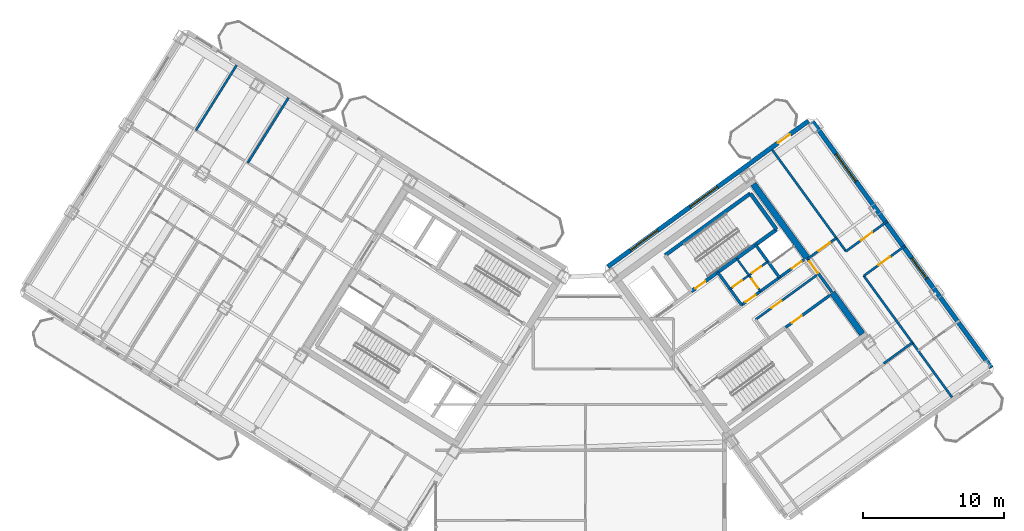
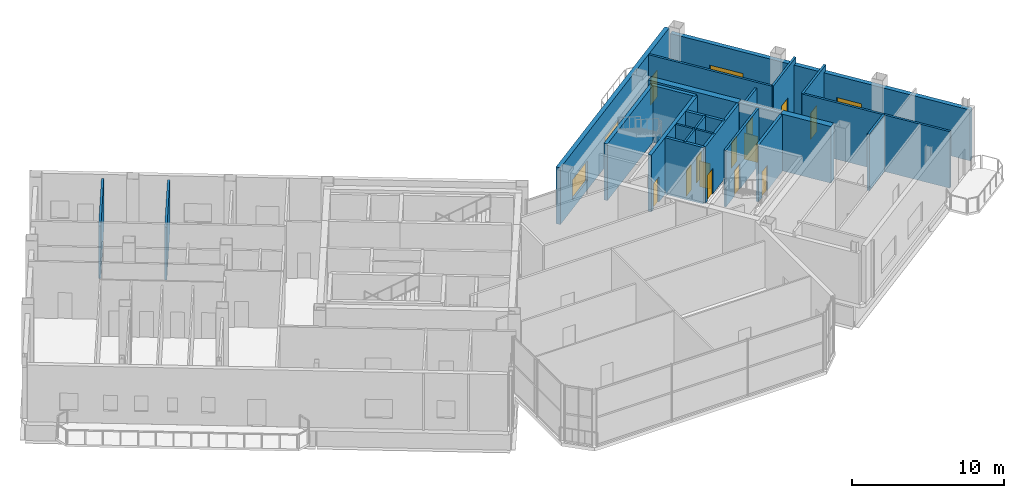
# One storey, part 20 of 26: 24 walls, 13 doors, 4 windows, 17 openings.
"""IFC4 building model written with IfcOpenShell, lengths in metres."""

import ifcopenshell
import ifcopenshell.guid

model = None  # the IFC model being written
_history = None  # IfcOwnerHistory: only IFC2X3 demands one
_inside = {}  # id of a spatial element -> (the spatial element, [elements in it])
_under = {}  # id of a project, library or spatial element -> (it, [spatial elements below it])
_declared = {}  # id of a project -> (the project, [libraries it declares])
_typed = {}  # id of a type object -> (the type object, [elements of that type])
_made_of = {}  # id of a material, layer set ... -> (it, [elements and type objects made of it])


def new_model(schema):
    """Start an empty IFC model of exactly this schema.

    Asked for "IFC4X3", IfcOpenShell would pick the latest addendum, in which some entities
    have other attributes; the version numbers below select the first issue.
    IFC2X3 requires an IfcOwnerHistory on every rooted entity: one is made here for all.
    """
    global model, _history
    if schema == "IFC4X3":
        model = ifcopenshell.file(schema_version=(4, 3, 0, 0))
    else:
        model = ifcopenshell.file(schema=schema)
    _inside.clear()
    _under.clear()
    _declared.clear()
    _typed.clear()
    _made_of.clear()
    _history = None
    if model.schema == "IFC2X3":
        org = make("IfcOrganization", Name="unknown")
        user = make(
            "IfcPersonAndOrganization",
            ThePerson=make("IfcPerson", FamilyName="unknown"),
            TheOrganization=org,
        )
        app = make(
            "IfcApplication",
            ApplicationDeveloper=org,
            Version="unknown",
            ApplicationFullName="unknown",
            ApplicationIdentifier="unknown",
        )
        _history = make(
            "IfcOwnerHistory",
            OwningUser=user,
            OwningApplication=app,
            ChangeAction="ADDED",
            CreationDate=0,
        )
    return model


def make(cls, **values):
    """One entity of the class cls with the attributes given. An attribute that is None is left unset."""
    return model.create_entity(
        cls, **{name: value for name, value in values.items() if value is not None}
    )


def rooted(cls, **values):
    """An entity with a GlobalId (a new one), such as an element, a storey or a relation."""
    return make(cls, GlobalId=ifcopenshell.guid.new(), OwnerHistory=_history, **values)


def si_unit(unit_type, name, prefix=None):
    """IfcSIUnit, for example si_unit("LENGTHUNIT", "METRE", prefix="MILLI")."""
    return make("IfcSIUnit", UnitType=unit_type, Prefix=prefix, Name=name)


def assignment(units):
    """IfcUnitAssignment: the units of a project."""
    return None if units is None else make("IfcUnitAssignment", Units=units)


def point(xyz):
    """IfcCartesianPoint."""
    return None if xyz is None else make("IfcCartesianPoint", Coordinates=xyz)


def direction(xyz):
    """IfcDirection."""
    return None if xyz is None else make("IfcDirection", DirectionRatios=xyz)


def frame(location, z_axis=None, x_axis=None):
    """IfcAxis2Placement3D, a coordinate frame: its origin and axes. An axis left out is left unset."""
    return make(
        "IfcAxis2Placement3D",
        Location=point(location),
        Axis=direction(z_axis),
        RefDirection=direction(x_axis),
    )


def frame_2d(location, x_axis=None):
    """IfcAxis2Placement2D, a coordinate frame in the plane: its origin and x axis."""
    return make(
        "IfcAxis2Placement2D", Location=point(location), RefDirection=direction(x_axis)
    )


def origin():
    """The frame at (0, 0, 0) with its axes left unset."""
    return frame((0.0, 0.0, 0.0))


def place(relative_to, where):
    """IfcLocalPlacement: puts the frame where relative to a parent placement (None: the world)."""
    return make(
        "IfcLocalPlacement", PlacementRelTo=relative_to, RelativePlacement=where
    )


def context(
    kind, dimensions, precision=None, world=None, true_north=None, identifier=None
):
    """IfcGeometricRepresentationContext, for example the 3D "Model" context."""
    return make(
        "IfcGeometricRepresentationContext",
        ContextIdentifier=identifier,
        ContextType=kind,
        CoordinateSpaceDimension=dimensions,
        Precision=precision,
        WorldCoordinateSystem=world,
        TrueNorth=true_north,
    )


def subcontext(parent, identifier, kind, view, scale=None):
    """IfcGeometricRepresentationSubContext, for example "Body" below "Model"."""
    return make(
        "IfcGeometricRepresentationSubContext",
        ContextIdentifier=identifier,
        ContextType=kind,
        ParentContext=parent,
        TargetScale=scale,
        TargetView=view,
    )


def project(units=None, contexts=None):
    """IfcProject with its units and contexts."""
    return rooted(
        "IfcProject",
        Name="project",
        RepresentationContexts=contexts,
        UnitsInContext=assignment(units),
    )


def spatial(cls, under=None, at=None, **own):
    """A site, building, storey or space (cls), placed at a placement, below another one or the project."""
    s = rooted(cls, ObjectPlacement=at, **own)
    if under is not None:
        _under.setdefault(under.id(), (under, []))[1].append(s)
    return s


def profile(cls, at=None, kind="AREA", **sizes):
    """A parametric profile (cls). Its sizes go by their IFC names, for example OverallWidth=200.0."""
    return make(cls, ProfileType=kind, Position=at, **sizes)


def rectangle(**sizes):
    """IfcRectangleProfileDef."""
    return profile("IfcRectangleProfileDef", **sizes)


def extrude(swept, where, along, depth):
    """IfcExtrudedAreaSolid: the profile swept, set in the frame where, extruded along a direction by depth."""
    return make(
        "IfcExtrudedAreaSolid",
        SweptArea=swept,
        Position=where,
        ExtrudedDirection=direction(along),
        Depth=depth,
    )


def shape(context_of_items, identifier, shape_type, items):
    """IfcShapeRepresentation: the items that make up one representation, for example the "Body"."""
    return make(
        "IfcShapeRepresentation",
        ContextOfItems=context_of_items,
        RepresentationIdentifier=identifier,
        RepresentationType=shape_type,
        Items=items,
    )


def source(mapping_origin, context_of_items, identifier, shape_type, items):
    """IfcRepresentationMap: a shape defined once, which mapped items show again and again."""
    return make(
        "IfcRepresentationMap",
        MappingOrigin=mapping_origin,
        MappedRepresentation=shape(context_of_items, identifier, shape_type, items),
    )


def transform(
    local_origin,
    x_axis=None,
    y_axis=None,
    z_axis=None,
    scale=None,
    scale2=None,
    scale3=None,
    uniform=True,
):
    """IfcCartesianTransformationOperator3D, or its non-uniform kind. x_axis, y_axis, z_axis: its Axis1, 2, 3."""
    if uniform:
        return make(
            "IfcCartesianTransformationOperator3D",
            Axis1=direction(x_axis),
            Axis2=direction(y_axis),
            LocalOrigin=point(local_origin),
            Scale=scale,
            Axis3=direction(z_axis),
        )
    return make(
        "IfcCartesianTransformationOperator3DnonUniform",
        Axis1=direction(x_axis),
        Axis2=direction(y_axis),
        LocalOrigin=point(local_origin),
        Scale=scale,
        Axis3=direction(z_axis),
        Scale2=scale2,
        Scale3=scale3,
    )


def mapped(mapping_source, mapping_target):
    """IfcMappedItem: shows the shape of a source again, moved by a transform."""
    return make(
        "IfcMappedItem", MappingSource=mapping_source, MappingTarget=mapping_target
    )


def material(Name=None, Category=None):
    """IfcMaterial."""
    return make("IfcMaterial", Name=Name, Category=Category)


def layer(
    of_material, thickness, ventilated=None, Name=None, Category=None, Priority=None
):
    """IfcMaterialLayer: one layer of a wall or slab, of a material (None: an air gap)."""
    return make(
        "IfcMaterialLayer",
        Material=of_material,
        LayerThickness=thickness,
        IsVentilated=ventilated,
        Name=Name,
        Category=Category,
        Priority=Priority,
    )


def layer_set(layers, Name=None):
    """IfcMaterialLayerSet."""
    return make("IfcMaterialLayerSet", MaterialLayers=layers, LayerSetName=Name)


def made_of(thing, what):
    """Note that an element or type object is made of a material, layer set ...; save() writes the relation."""
    if what is not None:
        _made_of.setdefault(what.id(), (what, []))[1].append(thing)
    return thing


def type_object(cls, material=None, **own):
    """A type object (cls), such as IfcWallType, which elements share."""
    return made_of(rooted(cls, **own), material)


def element(
    cls,
    number,
    at=None,
    inside=None,
    cuts=None,
    type_object=None,
    material=None,
    context=None,
    identifier="Body",
    shape_type=None,
    held_by="IfcProductDefinitionShape",
    body=None,
    shapes=None,
    **own,
):
    """One element of the class cls, such as IfcWall. Its Tag is "e" and its number.

    at: its placement. inside: the storey or other place that contains it. cuts: it is an
    opening in that element (IfcRelVoidsElement). A single representation is given by context,
    identifier, shape_type and body (its items); several are given by shapes. held_by: the class
    of the entity that holds the representations. save() writes the other relations.
    """
    e = rooted(cls, Tag="e%d" % number, ObjectPlacement=at, **own)
    if body is not None:
        shapes = [shape(context, identifier, shape_type, body)]
    if shapes is not None:
        e.Representation = make(held_by, Representations=shapes)
    if inside is not None:
        _inside.setdefault(inside.id(), (inside, []))[1].append(e)
    if cuts is not None:
        rooted(
            "IfcRelVoidsElement", RelatingBuildingElement=cuts, RelatedOpeningElement=e
        )
    if type_object is not None:
        _typed.setdefault(type_object.id(), (type_object, []))[1].append(e)
    return made_of(e, material)


def fill(opening, filler):
    """IfcRelFillsElement: the door or window that sits in an opening."""
    return rooted(
        "IfcRelFillsElement",
        RelatingOpeningElement=opening,
        RelatedBuildingElement=filler,
    )


def aggregate(whole, parts):
    """IfcRelAggregates: a whole, such as a stair, and the parts it consists of."""
    return rooted("IfcRelAggregates", RelatingObject=whole, RelatedObjects=parts)


def save(model, path):
    """Write the relations noted so far, then the file.

    IfcRelAggregates (storeys below a building ...), IfcRelContainedInSpatialStructure (elements
    in a storey), IfcRelDefinesByType, IfcRelAssociatesMaterial and IfcRelDeclares: one each for
    every whole, place, type object, material and project.
    """
    for whole, parts in _under.values():
        aggregate(whole, parts)
    for where, things in _inside.values():
        rooted(
            "IfcRelContainedInSpatialStructure",
            RelatedElements=things,
            RelatingStructure=where,
        )
    for kind, things in _typed.values():
        rooted("IfcRelDefinesByType", RelatedObjects=things, RelatingType=kind)
    for what, things in _made_of.values():
        rooted("IfcRelAssociatesMaterial", RelatedObjects=things, RelatingMaterial=what)
    for by, libraries in _declared.values():
        rooted("IfcRelDeclares", RelatingContext=by, RelatedDefinitions=libraries)
    model.write(path)


model = new_model("IFC4")

# Units and contexts
model_context = context("Model", 3, precision=1e-05, world=origin(), true_north=direction((0.0, 1.0)))
body_context = subcontext(model_context, "Body", "Model", "MODEL_VIEW")
ifc_project = project(units=[si_unit("LENGTHUNIT", "METRE"), si_unit("AREAUNIT", "SQUARE_METRE"), si_unit("VOLUMEUNIT", "CUBIC_METRE"), si_unit("PLANEANGLEUNIT", "RADIAN"), si_unit("MASSUNIT", "GRAM", prefix="KILO")], contexts=[model_context])

# Site, building, storey
site_placement = place(None, origin())
site = spatial("IfcSite", under=ifc_project, at=site_placement, CompositionType="ELEMENT")
building_placement = place(site_placement, origin())
building = spatial("IfcBuilding", under=site, at=building_placement, Name="Tlacorven Tower", CompositionType="ELEMENT")
storey_placement = place(building_placement, frame((0.0, 0.0, 233.699951171875)))
storey = spatial("IfcBuildingStorey", under=building, at=storey_placement, Name="L59", CompositionType="ELEMENT", Elevation=233.699951171875)

# Walls
ifc_material_1 = material(Name="Concrete C50/60", Category="concrete")
ifc_layer_1 = layer(ifc_material_1, 0.449951171875)
ifc_layer_set_1 = layer_set([ifc_layer_1], Name="Concrete C50/60")
wall_type_1 = type_object("IfcWallType", Name="WL-COR-450", PredefinedType="SHEAR", material=ifc_layer_set_1)
wall_1_placement = place(storey_placement, frame((61.987548828125, 20.413330078125, 0.0), z_axis=(0.0, 0.0, 1.0), x_axis=(-0.587819244441, 0.808992296542, 0.0)))
element("IfcWall", 1, at=wall_1_placement, inside=storey, type_object=wall_type_1, Name="L59 E core end wall E2.1", PredefinedType="SHEAR", context=body_context, shape_type="SweptSolid", body=[
    extrude(rectangle(XDim=3.625, YDim=0.449951171875, at=frame_2d((1.8125, 0.0))), origin(), (0.0, 0.0, 1.0), 4.550048828125),
])
wall_2_placement = place(storey_placement, frame((58.06396484375, 25.8134765625, 0.0), z_axis=(0.0, 0.0, 1.0), x_axis=(-0.587774812919, 0.809024578921, 0.0)))
element("IfcWall", 2, at=wall_2_placement, inside=storey, type_object=wall_type_1, Name="L59 E core end wall E2.2", PredefinedType="SHEAR", context=body_context, shape_type="SweptSolid", body=[
    extrude(rectangle(XDim=6.47509765625, YDim=0.449951171875, at=frame_2d((3.237548828125, 0.0))), origin(), (0.0, 0.0, 1.0), 4.550048828125),
])

# Wall, opening, door
ifc_material_2 = material(Name="Gypsum plasterboard acoustic partition", Category="gypsum")
ifc_layer_2 = layer(ifc_material_2, 0.159912109375)
ifc_layer_set_2 = layer_set([ifc_layer_2], Name="Gypsum plasterboard acoustic partition")
wall_type_2 = type_object("IfcWallType", Name="WL-DEM-160", PredefinedType="PARTITIONING", material=ifc_layer_set_2)
wall_3_placement = place(storey_placement, frame((54.421142578125, 21.436279296875, 0.0), z_axis=(0.0, 0.0, 1.0), x_axis=(0.809013710463, 0.587789772183, 0.0)))
wall_3 = element("IfcWall", 3, at=wall_3_placement, inside=storey, type_object=wall_type_2, Name="L59 partition 29", PredefinedType="PARTITIONING", context=body_context, shape_type="SweptSolid", body=[
    extrude(rectangle(XDim=5.360107421875, YDim=0.159912109375, at=frame_2d((2.68017578125, 0.0))), origin(), (0.0, 0.0, 1.0), 4.5400390625),
])
opening_1_placement = place(wall_3_placement, frame((1.39990234375, 0.0, 0.0)))
opening_1 = element("IfcOpeningElement", 4, at=opening_1_placement, cuts=wall_3, Name="Opening D19", PredefinedType="OPENING", context=body_context, shape_type="SweptSolid", body=[
    extrude(rectangle(XDim=0.860107421875, YDim=2.050048828125, at=frame_2d((0.43017578125, 1.02490234375))), frame((0.0, 0.08984375, 0.0), z_axis=(0.0, -1.0, 0.0), x_axis=(1.0, 0.0, 0.0)), (0.0, 0.0, 1.0), 0.179931640625),
])
ifc_material_3 = material(Name="Fire-rated steel door assembly", Category="steel")
door_type_1 = type_object("IfcDoorType", Name="DR-RSR-FD60-0860", OperationType="NOTDEFINED", PredefinedType="DOOR", material=ifc_material_3)
shared_shape_1 = source(origin(), body_context, "Body", "SweptSolid", [
    extrude(rectangle(XDim=0.860107421875, YDim=2.050048828125, at=frame_2d((0.43017578125, 1.02490234375))), frame((0.0, 0.02490234375, 0.0), z_axis=(0.0, -1.0, 0.0), x_axis=(1.0, 0.0, 0.0)), (0.0, 0.0, 1.0), 0.050048828125),
])
door_1_placement = place(opening_1_placement, origin())
door_1 = element("IfcDoor", 5, at=door_1_placement, inside=storey, type_object=door_type_1, Name="L59 Freed Core Store Door", OperationType="SINGLE_SWING_RIGHT", OverallHeight=2.050048828125, OverallWidth=0.860107421875, PredefinedType="DOOR", context=body_context, shape_type="MappedRepresentation", body=[
    mapped(shared_shape_1, transform((0.0, 0.0, 0.0), scale=1.0)),
])
fill(opening_1, door_1)

# Walls
for number, where, z_axis, x_axis, name in (
    (6, (21.29248046875, 37.177978515625, 0.0), (0.0, 0.0, 1.0), (-0.529938539346, -0.848036051425, 0.0), "L59 partition 59"),
    (7, (17.6083984375, 39.47998046875, 0.0), (0.0, 0.0, 1.0), (-0.529906322364, -0.848056182997, 0.0), "L59 partition 60"),
):
    element("IfcWall", number, at=place(storey_placement, frame(where, z_axis=z_axis, x_axis=x_axis)), inside=storey, type_object=wall_type_2, Name=name, PredefinedType="PARTITIONING", context=body_context, shape_type="SweptSolid", body=[
        extrude(rectangle(XDim=5.449951171875, YDim=0.159912109375, at=frame_2d((2.72509765625, 0.0))), origin(), (0.0, 0.0, 1.0), 4.22509765625),
    ])
wall_4_placement = place(storey_placement, frame((63.5068359375, 18.322021484375, 0.0), z_axis=(0.0, 0.0, 1.0), x_axis=(0.809034604122, 0.587761013791, 0.0)))
element("IfcWall", 8, at=wall_4_placement, inside=storey, type_object=wall_type_2, Name="L59 partition 79", PredefinedType="PARTITIONING", context=body_context, shape_type="SweptSolid", body=[
    extrude(rectangle(XDim=2.510009765625, YDim=0.159912109375, at=frame_2d((1.2548828125, 0.0))), origin(), (0.0, 0.0, 1.0), 4.5400390625),
])

# Wall, opening, door
wall_5_placement = place(storey_placement, frame((58.111083984375, 25.748779296875, 0.0), z_axis=(0.0, 0.0, 1.0), x_axis=(0.809000999347, 0.58780726693, 0.0)))
wall_5 = element("IfcWall", 9, at=wall_5_placement, inside=storey, type_object=wall_type_2, Name="L59 partition 80", PredefinedType="PARTITIONING", context=body_context, shape_type="SweptSolid", body=[
    extrude(rectangle(XDim=2.510009765625, YDim=0.159912109375, at=frame_2d((1.2548828125, 0.0))), origin(), (0.0, 0.0, 1.0), 4.074951171875),
])
opening_2_placement = place(wall_5_placement, frame((0.949951171875, 0.0, 0.0)))
opening_2 = element("IfcOpeningElement", 10, at=opening_2_placement, cuts=wall_5, Name="Opening D11", PredefinedType="OPENING", context=body_context, shape_type="SweptSolid", body=[
    extrude(rectangle(XDim=1.0, YDim=2.10009765625, at=frame_2d((0.5, 1.050048828125))), frame((0.0, 0.08984375, 0.0), z_axis=(0.0, -1.0, 0.0), x_axis=(1.0, 0.0, 0.0)), (0.0, 0.0, 1.0), 0.179931640625),
])
door_type_2 = type_object("IfcDoorType", Name="DR-FLT-FD60-1000", OperationType="NOTDEFINED", PredefinedType="DOOR", material=ifc_material_3)
shared_shape_2 = source(origin(), body_context, "Body", "SweptSolid", [
    extrude(rectangle(XDim=1.0, YDim=2.10009765625, at=frame_2d((0.5, 1.050048828125))), frame((0.0, 0.02490234375, 0.0), z_axis=(0.0, -1.0, 0.0), x_axis=(1.0, 0.0, 0.0)), (0.0, 0.0, 1.0), 0.050048828125),
])
door_2_placement = place(opening_2_placement, origin())
door_2 = element("IfcDoor", 11, at=door_2_placement, inside=storey, type_object=door_type_2, Name="L59 door 053", OperationType="SINGLE_SWING_RIGHT", OverallHeight=2.10009765625, OverallWidth=1.0, PredefinedType="DOOR", context=body_context, shape_type="MappedRepresentation", body=[
    mapped(shared_shape_2, transform((0.0, 0.0, 0.0), scale=1.0)),
])
fill(opening_2, door_2)

# Walls
wall_6_placement = place(storey_placement, frame((68.35302734375, 15.922119140625, 0.0), z_axis=(0.0, 0.0, 1.0), x_axis=(-0.587783168305, 0.809018508476, 0.0)))
element("IfcWall", 12, at=wall_6_placement, inside=storey, type_object=wall_type_2, Name="L59 partition 81", PredefinedType="PARTITIONING", context=body_context, shape_type="SweptSolid", body=[
    extrude(rectangle(XDim=10.650146484375, YDim=0.159912109375, at=frame_2d((5.3251953125, 0.0))), origin(), (0.0, 0.0, 1.0), 4.5400390625),
])
wall_7_placement = place(storey_placement, frame((60.829345703125, 26.277587890625, 0.0), z_axis=(0.0, 0.0, 1.0), x_axis=(-0.587781800813, 0.80901950201, 0.0)))
element("IfcWall", 13, at=wall_7_placement, inside=storey, type_object=wall_type_2, Name="L59 partition 82", PredefinedType="PARTITIONING", context=body_context, shape_type="SweptSolid", body=[
    extrude(rectangle(XDim=8.89990234375, YDim=0.159912109375, at=frame_2d((4.449951171875, 0.0))), origin(), (0.0, 0.0, 1.0), 4.5400390625),
])

# Wall, opening, door
wall_8_placement = place(storey_placement, frame((62.093017578125, 24.538330078125, 0.0), z_axis=(0.0, 0.0, 1.0), x_axis=(0.809035546126, 0.58775971715, 0.0)))
wall_8 = element("IfcWall", 14, at=wall_8_placement, inside=storey, type_object=wall_type_2, Name="L59 partition 84", PredefinedType="PARTITIONING", context=body_context, shape_type="SweptSolid", body=[
    extrude(rectangle(XDim=3.6298828125, YDim=0.159912109375, at=frame_2d((1.81494140625, 0.0))), origin(), (0.0, 0.0, 1.0), 4.5400390625),
])
opening_3_placement = place(wall_8_placement, frame((1.304931640625, 0.0, 0.0)))
opening_3 = element("IfcOpeningElement", 15, at=opening_3_placement, cuts=wall_8, Name="Opening D11", PredefinedType="OPENING", context=body_context, shape_type="SweptSolid", body=[
    extrude(rectangle(XDim=1.0, YDim=2.10009765625, at=frame_2d((0.5, 1.050048828125))), frame((0.0, 0.08984375, 0.0), z_axis=(0.0, -1.0, 0.0), x_axis=(1.0, 0.0, 0.0)), (0.0, 0.0, 1.0), 0.179931640625),
])
door_3_placement = place(opening_3_placement, origin())
door_3 = element("IfcDoor", 16, at=door_3_placement, inside=storey, type_object=door_type_2, Name="L59 door 056", OperationType="SINGLE_SWING_LEFT", OverallHeight=2.10009765625, OverallWidth=1.0, PredefinedType="DOOR", context=body_context, shape_type="MappedRepresentation", body=[
    mapped(shared_shape_2, transform((0.0, 0.0, 0.0), scale=1.0)),
])
fill(opening_3, door_3)

wall_9_placement = place(storey_placement, frame((60.829345703125, 26.277587890625, 0.0), z_axis=(0.0, 0.0, 1.0), x_axis=(0.809003564202, 0.587803736896, 0.0)))
wall_9 = element("IfcWall", 17, at=wall_9_placement, inside=storey, type_object=wall_type_2, Name="L59 partition 85", PredefinedType="PARTITIONING", context=body_context, shape_type="SweptSolid", body=[
    extrude(rectangle(XDim=3.630126953125, YDim=0.159912109375, at=frame_2d((1.81494140625, 0.0))), origin(), (0.0, 0.0, 1.0), 4.5400390625),
])
opening_4_placement = place(wall_9_placement, frame((1.304931640625, 0.0, 0.0)))
opening_4 = element("IfcOpeningElement", 18, at=opening_4_placement, cuts=wall_9, Name="Opening D11", PredefinedType="OPENING", context=body_context, shape_type="SweptSolid", body=[
    extrude(rectangle(XDim=1.0, YDim=2.10009765625, at=frame_2d((0.5, 1.050048828125))), frame((0.0, 0.08984375, 0.0), z_axis=(0.0, -1.0, 0.0), x_axis=(1.0, 0.0, 0.0)), (0.0, 0.0, 1.0), 0.179931640625),
])
door_4_placement = place(opening_4_placement, origin())
door_4 = element("IfcDoor", 19, at=door_4_placement, inside=storey, type_object=door_type_2, Name="L59 door 055", OperationType="SINGLE_SWING_LEFT", OverallHeight=2.10009765625, OverallWidth=1.0, PredefinedType="DOOR", context=body_context, shape_type="MappedRepresentation", body=[
    mapped(shared_shape_2, transform((0.0, 0.0, 0.0), scale=1.0)),
])
fill(opening_4, door_4)

# Wall, openings, door, windows
ifc_material_4 = material(Name="Precast concrete C45/55", Category="concrete")
ifc_layer_3 = layer(ifc_material_4, 0.320068359375)
ifc_layer_set_3 = layer_set([ifc_layer_3], Name="Precast concrete C45/55")
wall_type_3 = type_object("IfcWallType", Name="WL-EXT-320", PredefinedType="STANDARD", material=ifc_layer_set_3)
wall_10_placement = place(storey_placement, frame((43.93798828125, 25.191650390625, 0.0), z_axis=(0.0, 0.0, 1.0), x_axis=(0.809016324578, 0.587786174187, 0.0)))
wall_10 = element("IfcWall", 20, at=wall_10_placement, inside=storey, type_object=wall_type_3, Name="L59 Masonry-Frame Recessed Facade Wall 4", PredefinedType="STANDARD", context=body_context, shape_type="SweptSolid", body=[
    extrude(rectangle(XDim=17.58740234375, YDim=0.320068359375, at=frame_2d((8.793701171875, 0.0))), origin(), (0.0, 0.0, 1.0), 4.550048828125),
])
opening_5_placement = place(wall_10_placement, frame((14.913818359375, 0.0, 0.0)))
opening_5 = element("IfcOpeningElement", 21, at=opening_5_placement, cuts=wall_10, Name="Opening D06", PredefinedType="OPENING", context=body_context, shape_type="SweptSolid", body=[
    extrude(rectangle(XDim=1.050048828125, YDim=2.14990234375, at=frame_2d((0.52490234375, 1.074951171875))), frame((0.0, 0.169921875, 0.0), z_axis=(0.0, -1.0, 0.0), x_axis=(1.0, 0.0, 0.0)), (0.0, 0.0, 1.0), 0.340087890625),
])
opening_6_placement = place(wall_10_placement, frame((1.96875, 0.0, 0.75)))
opening_6 = element("IfcOpeningElement", 22, at=opening_6_placement, cuts=wall_10, Name="Opening WN06", PredefinedType="OPENING", context=body_context, shape_type="SweptSolid", body=[
    extrude(rectangle(XDim=2.39990234375, YDim=1.60009765625, at=frame_2d((1.199951171875, 0.800048828125))), frame((0.0, 0.169921875, 0.0), z_axis=(0.0, -1.0, 0.0), x_axis=(1.0, 0.0, 0.0)), (0.0, 0.0, 1.0), 0.340087890625),
])
opening_7_placement = place(wall_10_placement, frame((7.21875, 0.0, 0.75)))
opening_7 = element("IfcOpeningElement", 23, at=opening_7_placement, cuts=wall_10, Name="Opening WN06", PredefinedType="OPENING", context=body_context, shape_type="SweptSolid", body=[
    extrude(rectangle(XDim=2.39990234375, YDim=1.60009765625, at=frame_2d((1.199951171875, 0.800048828125))), frame((0.0, 0.169921875, 0.0), z_axis=(0.0, -1.0, 0.0), x_axis=(1.0, 0.0, 0.0)), (0.0, 0.0, 1.0), 0.340087890625),
])
ifc_material_5 = material(Name="Powder-coated aluminium and timber door", Category="wood")
door_type_3 = type_object("IfcDoorType", Name="DR-EXT-BALC-1050", OperationType="NOTDEFINED", PredefinedType="DOOR", material=ifc_material_5)
shared_shape_3 = source(origin(), body_context, "Body", "SweptSolid", [
    extrude(rectangle(XDim=1.050048828125, YDim=2.14990234375, at=frame_2d((0.52490234375, 1.074951171875))), frame((0.0, 0.02490234375, 0.0), z_axis=(0.0, -1.0, 0.0), x_axis=(1.0, 0.0, 0.0)), (0.0, 0.0, 1.0), 0.050048828125),
])
door_5_placement = place(opening_5_placement, origin())
door_5 = element("IfcDoor", 24, at=door_5_placement, inside=storey, type_object=door_type_3, Name="L59 Outdoor Access Door BAL-L59-E-IN", OperationType="SINGLE_SWING_RIGHT", OverallHeight=2.14990234375, OverallWidth=1.050048828125, PredefinedType="DOOR", context=body_context, shape_type="MappedRepresentation", body=[
    mapped(shared_shape_3, transform((0.0, 0.0, 0.0), scale=1.0)),
])
fill(opening_5, door_5)
ifc_material_6 = material(Name="Dark solar low-E double glazing in anodised aluminium frame", Category="aluminium")
window_type_1 = type_object("IfcWindowType", Name="WN-APT-2400X1800", PartitioningType="SINGLE_PANEL", PredefinedType="WINDOW", material=ifc_material_6)
shared_shape_4 = source(origin(), body_context, "Body", "SweptSolid", [
    extrude(rectangle(XDim=2.39990234375, YDim=1.60009765625, at=frame_2d((1.199951171875, 0.800048828125))), frame((0.0, 0.030029296875, 0.0), z_axis=(0.0, -1.0, 0.0), x_axis=(1.0, 0.0, 0.0)), (0.0, 0.0, 1.0), 0.06005859375),
])
window_1_placement = place(opening_6_placement, origin())
window_1 = element("IfcWindow", 25, at=window_1_placement, inside=storey, type_object=window_type_1, Name="L59 Recessed Masonry-Frame Window L59-04.1", OverallHeight=1.60009765625, OverallWidth=2.39990234375, PartitioningType="SINGLE_PANEL", PredefinedType="WINDOW", context=body_context, shape_type="MappedRepresentation", body=[
    mapped(shared_shape_4, transform((0.0, 0.0, 0.0), scale=1.0)),
])
fill(opening_6, window_1)
window_2_placement = place(opening_7_placement, origin())
window_2 = element("IfcWindow", 26, at=window_2_placement, inside=storey, type_object=window_type_1, Name="L59 Recessed Masonry-Frame Window L59-04.2", OverallHeight=1.60009765625, OverallWidth=2.39990234375, PartitioningType="SINGLE_PANEL", PredefinedType="WINDOW", context=body_context, shape_type="MappedRepresentation", body=[
    mapped(shared_shape_4, transform((0.0, 0.0, 0.0), scale=1.0)),
])
fill(opening_7, window_2)

# Wall, openings, windows
wall_11_placement = place(storey_placement, frame((58.45458984375, 35.483642578125, 0.0), z_axis=(0.0, 0.0, 1.0), x_axis=(0.587783625747, -0.809018176127, 0.0)))
wall_11 = element("IfcWall", 27, at=wall_11_placement, inside=storey, type_object=wall_type_3, Name="L59 Masonry-Frame Recessed Facade Wall 5", PredefinedType="STANDARD", context=body_context, shape_type="SweptSolid", body=[
    extrude(rectangle(XDim=21.58740234375, YDim=0.320068359375, at=frame_2d((10.793701171875, 0.0))), origin(), (0.0, 0.0, 1.0), 4.074951171875),
])
opening_8_placement = place(wall_11_placement, frame((2.84375, 0.0, 0.75)))
opening_8 = element("IfcOpeningElement", 28, at=opening_8_placement, cuts=wall_11, Name="Opening WN06", PredefinedType="OPENING", context=body_context, shape_type="SweptSolid", body=[
    extrude(rectangle(XDim=2.39990234375, YDim=1.60009765625, at=frame_2d((1.199951171875, 0.800048828125))), frame((0.0, 0.169921875, 0.0), z_axis=(0.0, -1.0, 0.0), x_axis=(1.0, 0.0, 0.0)), (0.0, 0.0, 1.0), 0.340087890625),
])
opening_9_placement = place(wall_11_placement, frame((11.966796875, 0.0, 0.85009765625)))
opening_9 = element("IfcOpeningElement", 29, at=opening_9_placement, cuts=wall_11, Name="Opening WN01", PredefinedType="OPENING", context=body_context, shape_type="SweptSolid", body=[
    extrude(rectangle(XDim=1.800048828125, YDim=1.5, at=frame_2d((0.89990234375, 0.75))), frame((0.0, 0.169921875, 0.0), z_axis=(0.0, -1.0, 0.0), x_axis=(1.0, 0.0, 0.0)), (0.0, 0.0, 1.0), 0.340087890625),
])
window_type_2 = type_object("IfcWindowType", Name="WN-APT-1800X1650", PartitioningType="SINGLE_PANEL", PredefinedType="WINDOW", material=ifc_material_6)
shared_shape_5 = source(origin(), body_context, "Body", "SweptSolid", [
    extrude(rectangle(XDim=1.800048828125, YDim=1.5, at=frame_2d((0.89990234375, 0.75))), frame((0.0, 0.030029296875, 0.0), z_axis=(0.0, -1.0, 0.0), x_axis=(1.0, 0.0, 0.0)), (0.0, 0.0, 1.0), 0.06005859375),
])
window_3_placement = place(opening_9_placement, origin())
window_3 = element("IfcWindow", 30, at=window_3_placement, inside=storey, type_object=window_type_2, Name="L59 Recessed Masonry-Frame Window L59-05.2", OverallHeight=1.5, OverallWidth=1.800048828125, PartitioningType="SINGLE_PANEL", PredefinedType="WINDOW", context=body_context, shape_type="MappedRepresentation", body=[
    mapped(shared_shape_5, transform((0.0, 0.0, 0.0), scale=1.0)),
])
fill(opening_9, window_3)
window_4_placement = place(opening_8_placement, origin())
window_4 = element("IfcWindow", 31, at=window_4_placement, inside=storey, type_object=window_type_1, Name="L59 Recessed Masonry-Frame Window L59-05.1", OverallHeight=1.60009765625, OverallWidth=2.39990234375, PartitioningType="SINGLE_PANEL", PredefinedType="WINDOW", context=body_context, shape_type="MappedRepresentation", body=[
    mapped(shared_shape_4, transform((0.0, 0.0, 0.0), scale=1.0)),
])
fill(opening_8, window_4)

# Wall, opening, door
ifc_material_7 = material(Name="Moisture-resistant gypsum plumbing wall", Category="gypsum")
ifc_layer_4 = layer(ifc_material_7, 0.139892578125)
ifc_layer_set_4 = layer_set([ifc_layer_4], Name="Moisture-resistant gypsum plumbing wall")
wall_type_4 = type_object("IfcWallType", Name="WL-PLM-140", PredefinedType="PLUMBINGWALL", material=ifc_layer_set_4)
wall_12_placement = place(storey_placement, frame((54.767578125, 23.443359375, 0.0), z_axis=(0.0, 0.0, 1.0), x_axis=(-0.587736077749, 0.809052719489, 0.0)))
wall_12 = element("IfcWall", 32, at=wall_12_placement, inside=storey, type_object=wall_type_4, Name="L59 partition 35", PredefinedType="PLUMBINGWALL", context=body_context, shape_type="SweptSolid", body=[
    extrude(rectangle(XDim=1.39990234375, YDim=0.139892578125, at=frame_2d((0.699951171875, 0.0))), origin(), (0.0, 0.0, 1.0), 4.5400390625),
])
opening_10_placement = place(wall_12_placement, frame((0.280029296875, 0.0, 0.0)))
opening_10 = element("IfcOpeningElement", 33, at=opening_10_placement, cuts=wall_12, Name="Opening D22", PredefinedType="OPENING", context=body_context, shape_type="SweptSolid", body=[
    extrude(rectangle(XDim=0.780029296875, YDim=2.050048828125, at=frame_2d((0.39013671875, 1.02490234375))), frame((0.0, 0.080078125, 0.0), z_axis=(0.0, -1.0, 0.0), x_axis=(1.0, 0.0, 0.0)), (0.0, 0.0, 1.0), 0.159912109375),
])
door_type_4 = type_object("IfcDoorType", Name="DR-INT-WET-0780", OperationType="NOTDEFINED", PredefinedType="DOOR", material=ifc_material_5)
shared_shape_6 = source(origin(), body_context, "Body", "SweptSolid", [
    extrude(rectangle(XDim=0.780029296875, YDim=2.050048828125, at=frame_2d((0.39013671875, 1.02490234375))), frame((0.0, 0.02490234375, 0.0), z_axis=(0.0, -1.0, 0.0), x_axis=(1.0, 0.0, 0.0)), (0.0, 0.0, 1.0), 0.050048828125),
])
door_6_placement = place(opening_10_placement, origin())
door_6 = element("IfcDoor", 34, at=door_6_placement, inside=storey, type_object=door_type_4, Name="L59 door 019", OperationType="SINGLE_SWING_RIGHT", OverallHeight=2.050048828125, OverallWidth=0.780029296875, PredefinedType="DOOR", context=body_context, shape_type="MappedRepresentation", body=[
    mapped(shared_shape_6, transform((0.0, 0.0, 0.0), scale=1.0)),
])
fill(opening_10, door_6)

# Wall
wall_13_placement = place(storey_placement, frame((53.94482421875, 24.575927734375, 0.0), z_axis=(0.0, 0.0, 1.0), x_axis=(-0.587897037186, 0.808935766095, 0.0)))
element("IfcWall", 35, at=wall_13_placement, inside=storey, type_object=wall_type_4, Name="L59 partition 36", PredefinedType="PLUMBINGWALL", context=body_context, shape_type="SweptSolid", body=[
    extrude(rectangle(XDim=1.47998046875, YDim=0.139892578125, at=frame_2d((0.739990234375, 0.0))), origin(), (0.0, 0.0, 1.0), 4.5400390625),
])

# Wall, openings, doors
wall_14_placement = place(storey_placement, frame((52.617919921875, 23.612060546875, 0.0), z_axis=(0.0, 0.0, 1.0), x_axis=(0.809009587469, 0.587795446889, 0.0)))
wall_14 = element("IfcWall", 36, at=wall_14_placement, inside=storey, type_object=wall_type_4, Name="L59 partition 37", PredefinedType="PLUMBINGWALL", context=body_context, shape_type="SweptSolid", body=[
    extrude(rectangle(XDim=3.280029296875, YDim=0.139892578125, at=frame_2d((1.64013671875, 0.0))), origin(), (0.0, 0.0, 1.0), 4.5400390625),
])
opening_11_placement = place(wall_14_placement, frame((0.25, 0.0, 0.0)))
opening_11 = element("IfcOpeningElement", 37, at=opening_11_placement, cuts=wall_14, Name="Opening D22", PredefinedType="OPENING", context=body_context, shape_type="SweptSolid", body=[
    extrude(rectangle(XDim=0.780029296875, YDim=2.050048828125, at=frame_2d((0.39013671875, 1.02490234375))), frame((0.0, 0.080078125, 0.0), z_axis=(0.0, -1.0, 0.0), x_axis=(1.0, 0.0, 0.0)), (0.0, 0.0, 1.0), 0.159912109375),
])
opening_12_placement = place(wall_14_placement, frame((1.919921875, 0.0, 0.0)))
opening_12 = element("IfcOpeningElement", 38, at=opening_12_placement, cuts=wall_14, Name="Opening D22", PredefinedType="OPENING", context=body_context, shape_type="SweptSolid", body=[
    extrude(rectangle(XDim=0.780029296875, YDim=2.050048828125, at=frame_2d((0.39013671875, 1.02490234375))), frame((0.0, 0.080078125, 0.0), z_axis=(0.0, -1.0, 0.0), x_axis=(1.0, 0.0, 0.0)), (0.0, 0.0, 1.0), 0.159912109375),
])
door_7_placement = place(opening_11_placement, origin())
door_7 = element("IfcDoor", 39, at=door_7_placement, inside=storey, type_object=door_type_4, Name="L59 door 020", OperationType="SINGLE_SWING_LEFT", OverallHeight=2.050048828125, OverallWidth=0.780029296875, PredefinedType="DOOR", context=body_context, shape_type="MappedRepresentation", body=[
    mapped(shared_shape_6, transform((0.0, 0.0, 0.0), scale=1.0)),
])
fill(opening_11, door_7)
door_8_placement = place(opening_12_placement, origin())
door_8 = element("IfcDoor", 40, at=door_8_placement, inside=storey, type_object=door_type_4, Name="L59 door 021", OperationType="SINGLE_SWING_RIGHT", OverallHeight=2.050048828125, OverallWidth=0.780029296875, PredefinedType="DOOR", context=body_context, shape_type="MappedRepresentation", body=[
    mapped(shared_shape_6, transform((0.0, 0.0, 0.0), scale=1.0)),
])
fill(opening_12, door_8)

# Wall, opening, door
ifc_material_8 = material(Name="Concrete C40/50", Category="concrete")
ifc_layer_5 = layer(ifc_material_8, 0.199951171875)
ifc_layer_set_5 = layer_set([ifc_layer_5], Name="Concrete C40/50")
wall_type_5 = type_object("IfcWallType", Name="WL-SHF-200", PredefinedType="STANDARD", material=ifc_layer_set_5)
wall_15_placement = place(storey_placement, frame((56.552978515625, 20.884033203125, 0.0), z_axis=(0.0, 0.0, 1.0), x_axis=(0.809041669066, 0.587751288995, 0.0)))
wall_15 = element("IfcWall", 41, at=wall_15_placement, inside=storey, type_object=wall_type_5, Name="L59 Core E South Lift Shaft Wall", PredefinedType="STANDARD", context=body_context, shape_type="SweptSolid", body=[
    extrude(rectangle(XDim=3.867919921875, YDim=0.199951171875, at=frame_2d((1.93408203125, 0.0))), origin(), (0.0, 0.0, 1.0), 4.5400390625),
])
opening_13_placement = place(wall_15_placement, frame((0.550048828125, 0.0, 0.0)))
opening_13 = element("IfcOpeningElement", 42, at=opening_13_placement, cuts=wall_15, Name="Opening D19", PredefinedType="OPENING", context=body_context, shape_type="SweptSolid", body=[
    extrude(rectangle(XDim=0.860107421875, YDim=2.050048828125, at=frame_2d((0.43017578125, 1.02490234375))), frame((0.0, 0.10986328125, 0.0), z_axis=(0.0, -1.0, 0.0), x_axis=(1.0, 0.0, 0.0)), (0.0, 0.0, 1.0), 0.219970703125),
])
door_9_placement = place(opening_13_placement, origin())
door_9 = element("IfcDoor", 43, at=door_9_placement, inside=storey, type_object=door_type_1, Name="L59 East Telecoms Riser Access Door", OperationType="SINGLE_SWING_LEFT", OverallHeight=2.050048828125, OverallWidth=0.860107421875, PredefinedType="DOOR", context=body_context, shape_type="MappedRepresentation", body=[
    mapped(shared_shape_1, transform((0.0, 0.0, 0.0), scale=1.0)),
])
fill(opening_13, door_9)

# Walls
wall_16_placement = place(storey_placement, frame((53.424560546875, 22.467529296875, 0.0), z_axis=(0.0, 0.0, 1.0), x_axis=(-0.5877230039, 0.809062216821, 0.0)))
element("IfcWall", 44, at=wall_16_placement, inside=storey, type_object=wall_type_5, Name="L59 partition 32", PredefinedType="STANDARD", context=body_context, shape_type="SweptSolid", body=[
    extrude(rectangle(XDim=2.8798828125, YDim=0.199951171875, at=frame_2d((1.43994140625, 0.0))), origin(), (0.0, 0.0, 1.0), 4.5400390625),
])
wall_17_placement = place(storey_placement, frame((56.110595703125, 24.4189453125, 0.0), z_axis=(0.0, 0.0, 1.0), x_axis=(-0.58777848983, 0.809021907548, 0.0)))
element("IfcWall", 45, at=wall_17_placement, inside=storey, type_object=wall_type_5, Name="L59 partition 33", PredefinedType="STANDARD", context=body_context, shape_type="SweptSolid", body=[
    extrude(rectangle(XDim=2.880126953125, YDim=0.199951171875, at=frame_2d((1.43994140625, 0.0))), origin(), (0.0, 0.0, 1.0), 4.5400390625),
])

# Wall, openings, doors
wall_18_placement = place(storey_placement, frame((53.424560546875, 22.467529296875, 0.0), z_axis=(0.0, 0.0, 1.0), x_axis=(0.809015945709, 0.587786695655, 0.0)))
wall_18 = element("IfcWall", 46, at=wall_18_placement, inside=storey, type_object=wall_type_5, Name="L59 Core E North Service Wall", PredefinedType="STANDARD", context=body_context, shape_type="SweptSolid", body=[
    extrude(rectangle(XDim=5.46826171875, YDim=0.199951171875, at=frame_2d((2.734130859375, 0.0))), origin(), (0.0, 0.0, 1.0), 4.5400390625),
])
opening_14_placement = place(wall_18_placement, frame((4.39990234375, 0.0, 0.0)))
opening_14 = element("IfcOpeningElement", 47, at=opening_14_placement, cuts=wall_18, Name="Opening D19", PredefinedType="OPENING", context=body_context, shape_type="SweptSolid", body=[
    extrude(rectangle(XDim=0.860107421875, YDim=2.050048828125, at=frame_2d((0.43017578125, 1.02490234375))), frame((0.0, 0.10986328125, 0.0), z_axis=(0.0, -1.0, 0.0), x_axis=(1.0, 0.0, 0.0)), (0.0, 0.0, 1.0), 0.219970703125),
])
opening_15_placement = place(wall_18_placement, frame((0.35009765625, 0.0, 0.0)))
opening_15 = element("IfcOpeningElement", 48, at=opening_15_placement, cuts=wall_18, Name="Opening D19", PredefinedType="OPENING", context=body_context, shape_type="SweptSolid", body=[
    extrude(rectangle(XDim=0.860107421875, YDim=2.050048828125, at=frame_2d((0.43017578125, 1.02490234375))), frame((0.0, 0.10986328125, 0.0), z_axis=(0.0, -1.0, 0.0), x_axis=(1.0, 0.0, 0.0)), (0.0, 0.0, 1.0), 0.219970703125),
])
door_10_placement = place(opening_14_placement, frame((0.860107421875, 0.0, 0.0), z_axis=(0.0, 0.0, 1.0), x_axis=(-1.0, 0.0, 0.0)))
door_10 = element("IfcDoor", 49, at=door_10_placement, inside=storey, type_object=door_type_1, Name="L59 Electrical Riser Access Door E", OperationType="SINGLE_SWING_RIGHT", OverallHeight=2.050048828125, OverallWidth=0.860107421875, PredefinedType="DOOR", context=body_context, shape_type="MappedRepresentation", body=[
    mapped(shared_shape_1, transform((0.0, 0.0, 0.0), scale=1.0)),
])
fill(opening_14, door_10)
door_11_placement = place(opening_15_placement, frame((0.860107421875, 0.0, 0.0), z_axis=(0.0, 0.0, 1.0), x_axis=(-1.0, 0.0, 0.0)))
door_11 = element("IfcDoor", 50, at=door_11_placement, inside=storey, type_object=door_type_1, Name="L59 Cleaning Room Access Door E", OperationType="SINGLE_SWING_LEFT", OverallHeight=2.050048828125, OverallWidth=0.860107421875, PredefinedType="DOOR", context=body_context, shape_type="MappedRepresentation", body=[
    mapped(shared_shape_1, transform((0.0, 0.0, 0.0), scale=1.0)),
])
fill(opening_15, door_11)

# Wall, opening, door
wall_19_placement = place(storey_placement, frame((59.827392578125, 23.386474609375, 0.0), z_axis=(0.0, 0.0, 1.0), x_axis=(-0.587803840107, 0.809003489211, 0.0)))
wall_19 = element("IfcWall", 51, at=wall_19_placement, inside=storey, type_object=wall_type_5, Name="L59 partition 78", PredefinedType="STANDARD", context=body_context, shape_type="SweptSolid", body=[
    extrude(rectangle(XDim=2.960205078125, YDim=0.199951171875, at=frame_2d((1.47998046875, 0.0))), origin(), (0.0, 0.0, 1.0), 4.5400390625),
])
opening_16_placement = place(wall_19_placement, frame((1.679931640625, 0.0, 0.0)))
opening_16 = element("IfcOpeningElement", 52, at=opening_16_placement, cuts=wall_19, Name="Opening D11", PredefinedType="OPENING", context=body_context, shape_type="SweptSolid", body=[
    extrude(rectangle(XDim=1.0, YDim=2.10009765625, at=frame_2d((0.5, 1.050048828125))), frame((0.0, 0.10986328125, 0.0), z_axis=(0.0, -1.0, 0.0), x_axis=(1.0, 0.0, 0.0)), (0.0, 0.0, 1.0), 0.219970703125),
])
door_12_placement = place(opening_16_placement, origin())
door_12 = element("IfcDoor", 53, at=door_12_placement, inside=storey, type_object=door_type_2, Name="L59 door 054", OperationType="SINGLE_SWING_LEFT", OverallHeight=2.10009765625, OverallWidth=1.0, PredefinedType="DOOR", context=body_context, shape_type="MappedRepresentation", body=[
    mapped(shared_shape_2, transform((0.0, 0.0, 0.0), scale=1.0)),
])
fill(opening_16, door_12)

# Wall
ifc_layer_6 = layer(ifc_material_1, 0.260009765625)
ifc_layer_set_6 = layer_set([ifc_layer_6], Name="Concrete C50/60")
wall_type_6 = type_object("IfcWallType", Name="WL-STW-260", PredefinedType="SHEAR", material=ifc_layer_set_6)
wall_20_placement = place(storey_placement, frame((48.005615234375, 25.996337890625, 0.0), z_axis=(0.0, 0.0, 1.0), x_axis=(0.80901903764, 0.587782439969, 0.0)))
element("IfcWall", 54, at=wall_20_placement, inside=storey, type_object=wall_type_6, Name="L59 Stair E1 Far Shear Wall", PredefinedType="SHEAR", context=body_context, shape_type="SweptSolid", body=[
    extrude(rectangle(XDim=7.4599609375, YDim=0.260009765625, at=frame_2d((3.72998046875, 0.0))), origin(), (0.0, 0.0, 1.0), 4.550048828125),
])

# Wall, opening, door
wall_21_placement = place(storey_placement, frame((49.863037109375, 23.439697265625, 0.0), z_axis=(0.0, 0.0, 1.0), x_axis=(0.809003474932, 0.587803859759, 0.0)))
wall_21 = element("IfcWall", 55, at=wall_21_placement, inside=storey, type_object=wall_type_6, Name="L59 Stair E1 Lobby Shear Wall", PredefinedType="SHEAR", context=body_context, shape_type="SweptSolid", body=[
    extrude(rectangle(XDim=7.4599609375, YDim=0.260009765625, at=frame_2d((3.72998046875, 0.0))), origin(), (0.0, 0.0, 1.0), 4.550048828125),
])
opening_17_placement = place(wall_21_placement, frame((0.360107421875, 0.0, 0.0)))
opening_17 = element("IfcOpeningElement", 56, at=opening_17_placement, cuts=wall_21, Name="Opening D19", PredefinedType="OPENING", context=body_context, shape_type="SweptSolid", body=[
    extrude(rectangle(XDim=0.860107421875, YDim=2.050048828125, at=frame_2d((0.43017578125, 1.02490234375))), frame((0.0, 0.14013671875, 0.0), z_axis=(0.0, -1.0, 0.0), x_axis=(1.0, 0.0, 0.0)), (0.0, 0.0, 1.0), 0.280029296875),
])
door_13_placement = place(opening_17_placement, frame((0.860107421875, 0.0, 0.0), z_axis=(0.0, 0.0, 1.0), x_axis=(-1.0, 0.0, 0.0)))
door_13 = element("IfcDoor", 57, at=door_13_placement, inside=storey, type_object=door_type_1, Name="L59 Exit Stair E1 Fire Door", OperationType="SINGLE_SWING_LEFT", OverallHeight=2.050048828125, OverallWidth=0.860107421875, PredefinedType="DOOR", context=body_context, shape_type="MappedRepresentation", body=[
    mapped(shared_shape_1, transform((0.0, 0.0, 0.0), scale=1.0)),
])
fill(opening_17, door_13)

# Wall
wall_22_placement = place(storey_placement, frame((55.906494140625, 27.83056640625, 0.0), z_axis=(0.0, 0.0, 1.0), x_axis=(-0.587804123638, 0.809003283204, 0.0)))
element("IfcWall", 58, at=wall_22_placement, inside=storey, type_object=wall_type_6, Name="L59 Stair E1 East Shear Wall", PredefinedType="SHEAR", context=body_context, shape_type="SweptSolid", body=[
    extrude(rectangle(XDim=3.159912109375, YDim=0.260009765625, at=frame_2d((1.580078125, 0.0))), origin(), (0.0, 0.0, 1.0), 4.550048828125),
])

save(model, "model.ifc")
